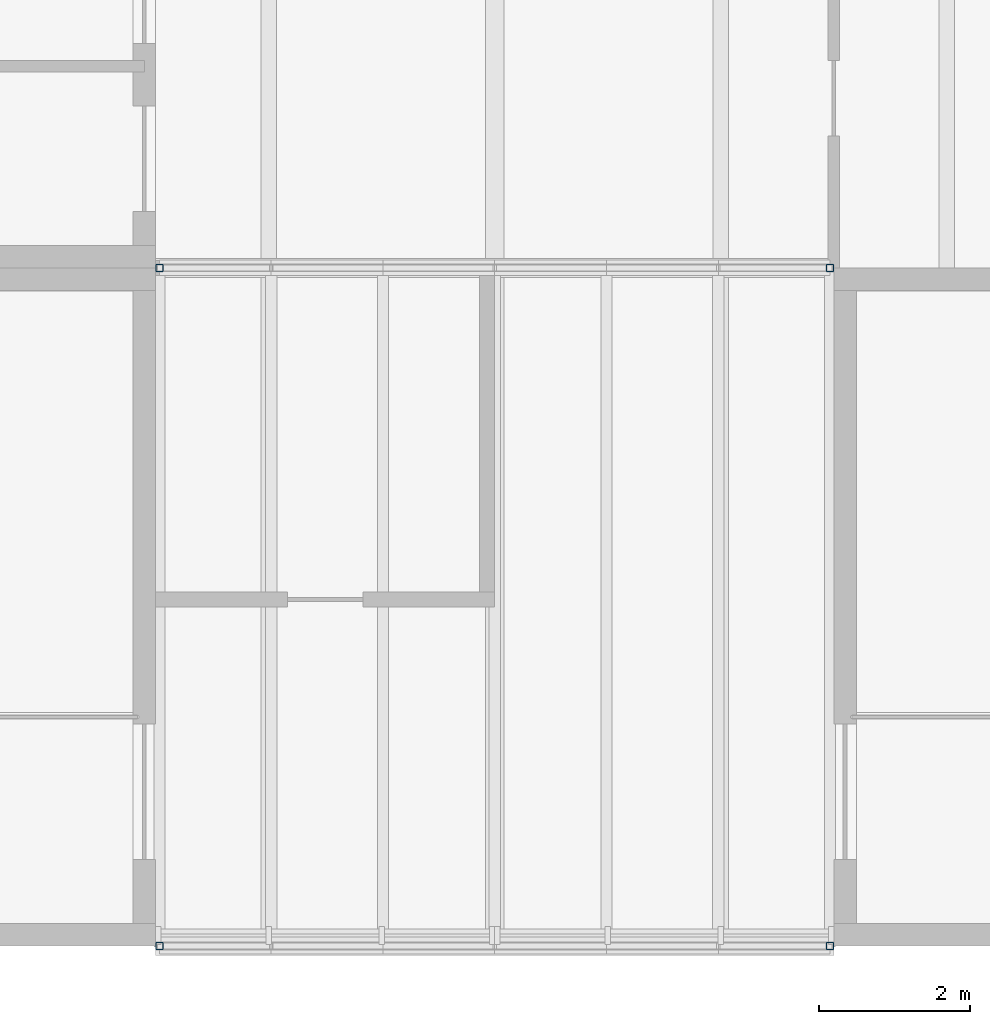
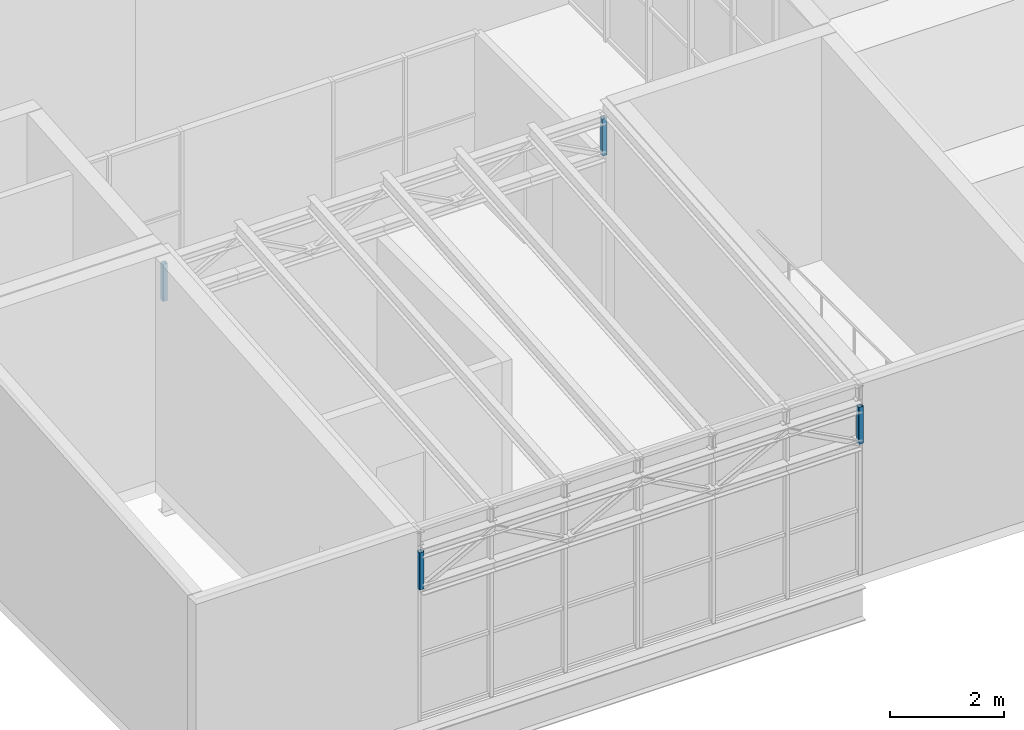
# One storey, part 31 of 61: 4 members.
"""IFC4 building model written with IfcOpenShell, lengths in metres."""

from ifc_helpers import new_model, si_unit, direction, frame, origin, origin_2d, place, context, subcontext, project, spatial, hollow_rectangle, extrude, material, material_profile, profile_set, type_object, element, save


model = new_model("IFC4")

# Units and contexts
model_context = context("Model", 3, precision=1e-05, world=origin(), true_north=direction((0.0, 1.0)))
body_context = subcontext(model_context, "Body", "Model", "MODEL_VIEW")
ifc_project = project(units=[si_unit("LENGTHUNIT", "METRE"), si_unit("AREAUNIT", "SQUARE_METRE"), si_unit("VOLUMEUNIT", "CUBIC_METRE"), si_unit("PLANEANGLEUNIT", "RADIAN"), si_unit("MASSUNIT", "GRAM", prefix="KILO")], contexts=[model_context])

# Site, building, storey
site_placement = place(None, origin())
site = spatial("IfcSite", under=ifc_project, at=site_placement, CompositionType="ELEMENT")
building_placement = place(site_placement, origin())
building = spatial("IfcBuilding", under=site, at=building_placement, Name="Halyard Row Museum", CompositionType="ELEMENT")
storey_placement = place(building_placement, frame((0.0, 0.0, 9.199951171875)))
storey = spatial("IfcBuildingStorey", under=building, at=storey_placement, Name="L02", CompositionType="ELEMENT", Elevation=9.199951171875)

# Members
ifc_material = material(Name="Steel Grade C350L0", Category="steel")
ifc_material_profile = material_profile(ifc_material, hollow_rectangle(XDim=0.10009765625, YDim=0.10009765625, WallThickness=0.006103515625, InnerFilletRadius=0.009033203125, OuterFilletRadius=0.014892578125, at=origin_2d()), Name="100x100x6.0SHS")
ifc_profile_set = profile_set([ifc_material_profile], Name="Steel Grade C350L0")
member_type = type_object("IfcMemberType", Name="Truss post 100x100x6.0SHS", PredefinedType="POST", material=ifc_profile_set)
for number, where, z_axis, x_axis, name in (
    (1, (4.550048828125, 0.0, 2.853759765625), (0.0, 0.0, 1.0), (1.0, 0.0, 0.0), "V3-RF1 end post 1"),
    (2, (13.449951171875, 0.0, 2.853759765625), (0.0, 0.0, 1.0), (1.0, 0.0, 0.0), "V3-RF1 end post 2"),
    (3, (4.550048828125, 9.0, 3.57373046875), (0.0, 0.0, 1.0), (1.0, 0.0, 0.0), "V3-RF2 end post 1"),
    (4, (13.449951171875, 9.0, 3.57373046875), (0.0, 0.0, 1.0), (1.0, 0.0, 0.0), "V3-RF2 end post 2"),
):
    element("IfcMember", number, at=place(storey_placement, frame(where, z_axis=z_axis, x_axis=x_axis)), inside=storey, type_object=member_type, Name=name, PredefinedType="POST", context=body_context, shape_type="SweptSolid", body=[
        extrude(hollow_rectangle(XDim=0.10009765625, YDim=0.10009765625, WallThickness=0.006103515625, InnerFilletRadius=0.009033203125, OuterFilletRadius=0.014892578125, at=origin_2d()), origin(), (0.0, 0.0, 1.0), 0.793701171875),
    ])

save(model, "model.ifc")
